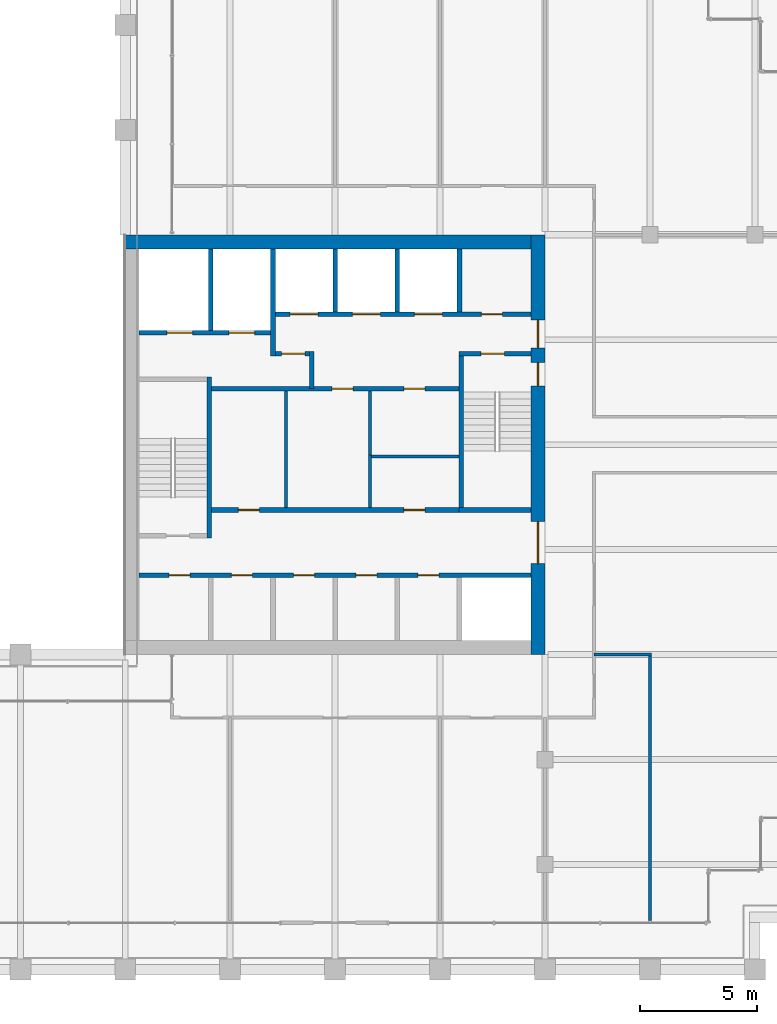
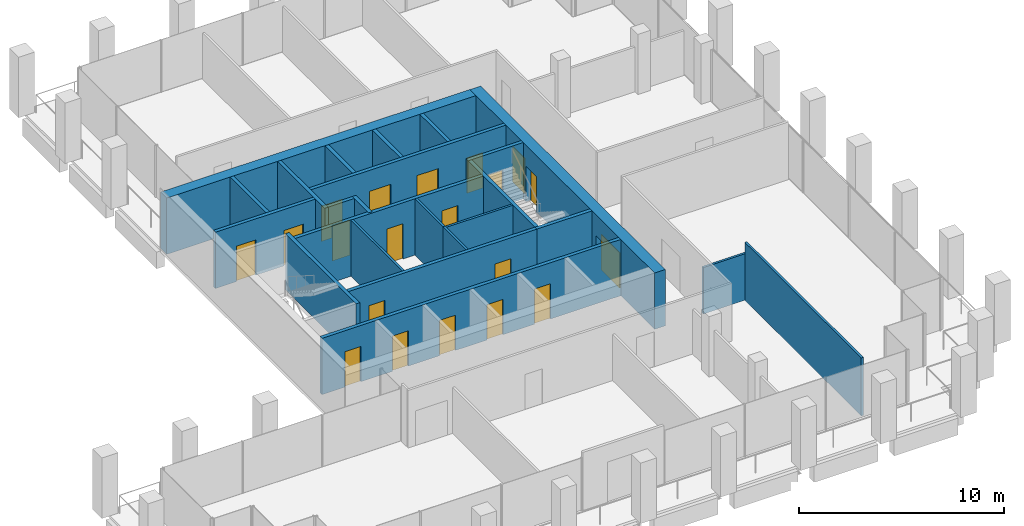
# One storey, part 36 of 40: 24 walls, 20 doors, 20 openings.
"""IFC4 building model written with IfcOpenShell, lengths in metres."""

from ifc_helpers import new_model, si_unit, direction, frame, frame_2d, origin, place, context, subcontext, project, spatial, rectangle, extrude, material, layer, layer_set, type_object, element, fill, save


model = new_model("IFC4")

# Units and contexts
model_context = context("Model", 3, precision=1e-05, world=origin(), true_north=direction((0.0, 1.0)))
body_context = subcontext(model_context, "Body", "Model", "MODEL_VIEW")
ifc_project = project(units=[si_unit("LENGTHUNIT", "METRE"), si_unit("AREAUNIT", "SQUARE_METRE"), si_unit("VOLUMEUNIT", "CUBIC_METRE"), si_unit("PLANEANGLEUNIT", "RADIAN"), si_unit("MASSUNIT", "GRAM", prefix="KILO")], contexts=[model_context])

# Site, building, storey
site_placement = place(None, origin())
site = spatial("IfcSite", under=ifc_project, at=site_placement, CompositionType="ELEMENT")
building_placement = place(site_placement, origin())
building = spatial("IfcBuilding", under=site, at=building_placement, Name="Altepetl Exchange Towers", CompositionType="ELEMENT")
storey_placement = place(building_placement, frame((0.0, 0.0, 165.39990234375)))
storey = spatial("IfcBuildingStorey", under=building, at=storey_placement, Name="L41", CompositionType="ELEMENT", Elevation=165.39990234375)

# Wall, openings, doors
ifc_material_1 = material(Name="Concrete C70/85", Category="concrete")
ifc_layer_1 = layer(ifc_material_1, 0.60009765625)
ifc_layer_set_1 = layer_set([ifc_layer_1], Name="Concrete C70/85")
wall_type_1 = type_object("IfcWallType", Name="Core wall 600 reinforced concrete", PredefinedType="SHEAR", material=ifc_layer_set_1)
wall_1_placement = place(storey_placement, frame((58.199951171875, 40.5, 0.0), z_axis=(0.0, 0.0, 1.0), x_axis=(0.0, 1.0, 0.0)))
wall_1 = element("IfcWall", 1, at=wall_1_placement, inside=storey, type_object=wall_type_1, Name="wall:A:L41:K-coreE", PredefinedType="SHEAR", context=body_context, shape_type="SweptSolid", body=[
    extrude(rectangle(XDim=18.0, YDim=0.60009765625, at=frame_2d((9.0, 0.0))), origin(), (0.0, 0.0, 1.0), 3.35009765625),
])
opening_1_placement = place(wall_1_placement, frame((13.14990234375, 0.0, 0.0)))
opening_1 = element("IfcOpeningElement", 2, at=opening_1_placement, cuts=wall_1, Name="Opening L41.A60", PredefinedType="OPENING", context=body_context, shape_type="SweptSolid", body=[
    extrude(rectangle(XDim=1.199951171875, YDim=2.10009765625, at=frame_2d((0.60009765625, 1.050048828125))), frame((0.0, 0.31005859375, 0.0), z_axis=(0.0, -1.0, 0.0), x_axis=(1.0, 0.0, 0.0)), (0.0, 0.0, 1.0), 0.6201171875),
])
opening_2_placement = place(wall_1_placement, frame((3.89990234375, 0.0, 0.0)))
opening_2 = element("IfcOpeningElement", 3, at=opening_2_placement, cuts=wall_1, Name="Opening L41.A61", PredefinedType="OPENING", context=body_context, shape_type="SweptSolid", body=[
    extrude(rectangle(XDim=1.800048828125, YDim=2.10009765625, at=frame_2d((0.89990234375, 1.050048828125))), frame((0.0, 0.31005859375, 0.0), z_axis=(0.0, -1.0, 0.0), x_axis=(1.0, 0.0, 0.0)), (0.0, 0.0, 1.0), 0.6201171875),
])
opening_3_placement = place(wall_1_placement, frame((11.52490234375, 0.0, 0.0)))
opening_3 = element("IfcOpeningElement", 4, at=opening_3_placement, cuts=wall_1, Name="Opening L41.A64", PredefinedType="OPENING", context=body_context, shape_type="SweptSolid", body=[
    extrude(rectangle(XDim=1.0, YDim=2.10009765625, at=frame_2d((0.5, 1.050048828125))), frame((0.0, 0.31005859375, 0.0), z_axis=(0.0, -1.0, 0.0), x_axis=(1.0, 0.0, 0.0)), (0.0, 0.0, 1.0), 0.6201171875),
])
ifc_material_2 = material(Name="Steel and timber fire door", Category="steel")
door_type_1 = type_object("IfcDoorType", Name="Fire door 1000 x 2100 stair and lobby", OperationType="SINGLE_SWING_LEFT", PredefinedType="DOOR", material=ifc_material_2)
door_1_placement = place(opening_3_placement, origin())
door_1 = element("IfcDoor", 5, at=door_1_placement, inside=storey, type_object=door_type_1, Name="door:A:L41:K-dS2x", OperationType="SINGLE_SWING_RIGHT", OverallHeight=2.10009765625, OverallWidth=1.0, PredefinedType="DOOR", context=body_context, shape_type="SweptSolid", body=[
    extrude(rectangle(XDim=1.0, YDim=2.10009765625, at=frame_2d((0.5, 1.050048828125))), frame((0.0, 0.02490234375, 0.0), z_axis=(0.0, -1.0, 0.0), x_axis=(1.0, 0.0, 0.0)), (0.0, 0.0, 1.0), 0.050048828125),
])
fill(opening_3, door_1)
door_type_2 = type_object("IfcDoorType", Name="Fire door 1200 x 2100 lobby entry", OperationType="SINGLE_SWING_LEFT", PredefinedType="DOOR", material=ifc_material_2)
door_2_placement = place(opening_1_placement, origin())
door_2 = element("IfcDoor", 6, at=door_2_placement, inside=storey, type_object=door_type_2, Name="door:A:L41:K-dLNE", OperationType="SINGLE_SWING_RIGHT", OverallHeight=2.10009765625, OverallWidth=1.199951171875, PredefinedType="DOOR", context=body_context, shape_type="SweptSolid", body=[
    extrude(rectangle(XDim=1.199951171875, YDim=2.10009765625, at=frame_2d((0.60009765625, 1.050048828125))), frame((0.0, 0.02490234375, 0.0), z_axis=(0.0, -1.0, 0.0), x_axis=(1.0, 0.0, 0.0)), (0.0, 0.0, 1.0), 0.050048828125),
])
fill(opening_1, door_2)
door_type_3 = type_object("IfcDoorType", Name="Fire door 1800 x 2100 lobby entry", OperationType="DOUBLE_DOOR_SINGLE_SWING", PredefinedType="DOOR", material=ifc_material_2)
door_3_placement = place(opening_2_placement, origin())
door_3 = element("IfcDoor", 7, at=door_3_placement, inside=storey, type_object=door_type_3, Name="door:A:L41:K-dLSE", OperationType="DOUBLE_DOOR_SINGLE_SWING", OverallHeight=2.10009765625, OverallWidth=1.800048828125, PredefinedType="DOOR", context=body_context, shape_type="SweptSolid", body=[
    extrude(rectangle(XDim=1.800048828125, YDim=2.10009765625, at=frame_2d((0.89990234375, 1.050048828125))), frame((0.0, 0.02490234375, 0.0), z_axis=(0.0, -1.0, 0.0), x_axis=(1.0, 0.0, 0.0)), (0.0, 0.0, 1.0), 0.050048828125),
])
fill(opening_2, door_3)

# Walls
wall_2_placement = place(storey_placement, frame((40.5, 58.199951171875, 0.0)))
element("IfcWall", 8, at=wall_2_placement, inside=storey, type_object=wall_type_1, Name="wall:A:L41:K-coreN", PredefinedType="SHEAR", context=body_context, shape_type="SweptSolid", body=[
    extrude(rectangle(XDim=17.39990234375, YDim=0.60009765625, at=frame_2d((8.699951171875, 0.0))), origin(), (0.0, 0.0, 1.0), 3.35009765625),
])
ifc_material_3 = material(Name="Concrete blockwork", Category="masonry")
ifc_layer_2 = layer(ifc_material_3, 0.199951171875)
ifc_layer_set_2 = layer_set([ifc_layer_2], Name="Concrete blockwork")
wall_type_2 = type_object("IfcWallType", Name="Lobby wall 200 blockwork", PredefinedType="PARTITIONING", material=ifc_layer_set_2)
wall_3_placement = place(storey_placement, frame((48.5, 51.89990234375, 0.0), z_axis=(0.0, 0.0, 1.0), x_axis=(0.0, 1.0, 0.0)))
element("IfcWall", 9, at=wall_3_placement, inside=storey, type_object=wall_type_2, Name="wall:A:L41:K-ffE", PredefinedType="PARTITIONING", context=body_context, shape_type="SweptSolid", body=[
    extrude(rectangle(XDim=1.60009765625, YDim=0.199951171875, at=frame_2d((0.800048828125, 0.0))), origin(), (0.0, 0.0, 1.0), 3.35009765625),
])

# Wall, opening, door
wall_4_placement = place(storey_placement, frame((46.933349609375, 53.39990234375, 0.0)))
wall_4 = element("IfcWall", 10, at=wall_4_placement, inside=storey, type_object=wall_type_2, Name="wall:A:L41:K-ffN", PredefinedType="PARTITIONING", context=body_context, shape_type="SweptSolid", body=[
    extrude(rectangle(XDim=1.466552734375, YDim=0.199951171875, at=frame_2d((0.7333984375, 0.0))), origin(), (0.0, 0.0, 1.0), 3.35009765625),
])
opening_4_placement = place(wall_4_placement, frame((0.2666015625, 0.0, 0.0)))
opening_4 = element("IfcOpeningElement", 11, at=opening_4_placement, cuts=wall_4, Name="Opening L41.A65", PredefinedType="OPENING", context=body_context, shape_type="SweptSolid", body=[
    extrude(rectangle(XDim=1.0, YDim=2.10009765625, at=frame_2d((0.5, 1.050048828125))), frame((0.0, 0.10986328125, 0.0), z_axis=(0.0, -1.0, 0.0), x_axis=(1.0, 0.0, 0.0)), (0.0, 0.0, 1.0), 0.219970703125),
])
door_4_placement = place(opening_4_placement, frame((1.0, 0.0, 0.0), x_axis=(-1.0, 0.0, 0.0)))
door_4 = element("IfcDoor", 12, at=door_4_placement, inside=storey, type_object=door_type_1, Name="door:A:L41:K-dffN", OperationType="SINGLE_SWING_LEFT", OverallHeight=2.10009765625, OverallWidth=1.0, PredefinedType="DOOR", context=body_context, shape_type="SweptSolid", body=[
    extrude(rectangle(XDim=1.0, YDim=2.10009765625, at=frame_2d((0.5, 1.050048828125))), frame((0.0, 0.02490234375, 0.0), z_axis=(0.0, -1.0, 0.0), x_axis=(1.0, 0.0, 0.0)), (0.0, 0.0, 1.0), 0.050048828125),
])
fill(opening_4, door_4)

# Wall, openings, doors
wall_5_placement = place(storey_placement, frame((44.199951171875, 51.89990234375, 0.0)))
wall_5 = element("IfcWall", 13, at=wall_5_placement, inside=storey, type_object=wall_type_2, Name="wall:A:L41:K-zoneN", PredefinedType="PARTITIONING", context=body_context, shape_type="SweptSolid", body=[
    extrude(rectangle(XDim=10.60009765625, YDim=0.199951171875, at=frame_2d((5.300048828125, 0.0))), origin(), (0.0, 0.0, 1.0), 3.35009765625),
])
opening_5_placement = place(wall_5_placement, frame((5.175048828125, 0.0, 0.0)))
opening_5 = element("IfcOpeningElement", 14, at=opening_5_placement, cuts=wall_5, Name="Opening L41.A73", PredefinedType="OPENING", context=body_context, shape_type="SweptSolid", body=[
    extrude(rectangle(XDim=0.89990234375, YDim=2.10009765625, at=frame_2d((0.449951171875, 1.050048828125))), frame((0.0, 0.10986328125, 0.0), z_axis=(0.0, -1.0, 0.0), x_axis=(1.0, 0.0, 0.0)), (0.0, 0.0, 1.0), 0.219970703125),
])
opening_6_placement = place(wall_5_placement, frame((8.25, 0.0, 0.0)))
opening_6 = element("IfcOpeningElement", 15, at=opening_6_placement, cuts=wall_5, Name="Opening L41.A75", PredefinedType="OPENING", context=body_context, shape_type="SweptSolid", body=[
    extrude(rectangle(XDim=0.89990234375, YDim=2.10009765625, at=frame_2d((0.449951171875, 1.050048828125))), frame((0.0, 0.10986328125, 0.0), z_axis=(0.0, -1.0, 0.0), x_axis=(1.0, 0.0, 0.0)), (0.0, 0.0, 1.0), 0.219970703125),
])
door_type_4 = type_object("IfcDoorType", Name="Fire door 900 x 2100 service room", OperationType="SINGLE_SWING_LEFT", PredefinedType="DOOR", material=ifc_material_2)
door_5_placement = place(opening_5_placement, frame((0.89990234375, 0.0, 0.0), x_axis=(-1.0, 0.0, 0.0)))
door_5 = element("IfcDoor", 16, at=door_5_placement, inside=storey, type_object=door_type_4, Name="door:A:L41:K-dz2", OperationType="SINGLE_SWING_LEFT", OverallHeight=2.10009765625, OverallWidth=0.89990234375, PredefinedType="DOOR", context=body_context, shape_type="SweptSolid", body=[
    extrude(rectangle(XDim=0.89990234375, YDim=2.10009765625, at=frame_2d((0.449951171875, 1.050048828125))), frame((0.0, 0.02490234375, 0.0), z_axis=(0.0, -1.0, 0.0), x_axis=(1.0, 0.0, 0.0)), (0.0, 0.0, 1.0), 0.050048828125),
])
fill(opening_5, door_5)
door_6_placement = place(opening_6_placement, frame((0.89990234375, 0.0, 0.0), x_axis=(-1.0, 0.0, 0.0)))
door_6 = element("IfcDoor", 17, at=door_6_placement, inside=storey, type_object=door_type_4, Name="door:A:L41:K-dz4", OperationType="SINGLE_SWING_LEFT", OverallHeight=2.10009765625, OverallWidth=0.89990234375, PredefinedType="DOOR", context=body_context, shape_type="SweptSolid", body=[
    extrude(rectangle(XDim=0.89990234375, YDim=2.10009765625, at=frame_2d((0.449951171875, 1.050048828125))), frame((0.0, 0.02490234375, 0.0), z_axis=(0.0, -1.0, 0.0), x_axis=(1.0, 0.0, 0.0)), (0.0, 0.0, 1.0), 0.050048828125),
])
fill(opening_6, door_6)

wall_6_placement = place(storey_placement, frame((44.199951171875, 46.699951171875, 0.0)))
wall_6 = element("IfcWall", 18, at=wall_6_placement, inside=storey, type_object=wall_type_2, Name="wall:A:L41:K-zoneS", PredefinedType="PARTITIONING", context=body_context, shape_type="SweptSolid", body=[
    extrude(rectangle(XDim=10.60009765625, YDim=0.199951171875, at=frame_2d((5.300048828125, 0.0))), origin(), (0.0, 0.0, 1.0), 3.35009765625),
])
opening_7_placement = place(wall_6_placement, frame((1.14990234375, 0.0, 0.0)))
opening_7 = element("IfcOpeningElement", 19, at=opening_7_placement, cuts=wall_6, Name="Opening L41.A72", PredefinedType="OPENING", context=body_context, shape_type="SweptSolid", body=[
    extrude(rectangle(XDim=0.89990234375, YDim=2.10009765625, at=frame_2d((0.449951171875, 1.050048828125))), frame((0.0, 0.10986328125, 0.0), z_axis=(0.0, -1.0, 0.0), x_axis=(1.0, 0.0, 0.0)), (0.0, 0.0, 1.0), 0.219970703125),
])
opening_8_placement = place(wall_6_placement, frame((8.25, 0.0, 0.0)))
opening_8 = element("IfcOpeningElement", 20, at=opening_8_placement, cuts=wall_6, Name="Opening L41.A74", PredefinedType="OPENING", context=body_context, shape_type="SweptSolid", body=[
    extrude(rectangle(XDim=0.89990234375, YDim=2.10009765625, at=frame_2d((0.449951171875, 1.050048828125))), frame((0.0, 0.10986328125, 0.0), z_axis=(0.0, -1.0, 0.0), x_axis=(1.0, 0.0, 0.0)), (0.0, 0.0, 1.0), 0.219970703125),
])
door_7_placement = place(opening_7_placement, origin())
door_7 = element("IfcDoor", 21, at=door_7_placement, inside=storey, type_object=door_type_4, Name="door:A:L41:K-dz1", OperationType="SINGLE_SWING_RIGHT", OverallHeight=2.10009765625, OverallWidth=0.89990234375, PredefinedType="DOOR", context=body_context, shape_type="SweptSolid", body=[
    extrude(rectangle(XDim=0.89990234375, YDim=2.10009765625, at=frame_2d((0.449951171875, 1.050048828125))), frame((0.0, 0.02490234375, 0.0), z_axis=(0.0, -1.0, 0.0), x_axis=(1.0, 0.0, 0.0)), (0.0, 0.0, 1.0), 0.050048828125),
])
fill(opening_7, door_7)
door_8_placement = place(opening_8_placement, origin())
door_8 = element("IfcDoor", 22, at=door_8_placement, inside=storey, type_object=door_type_4, Name="door:A:L41:K-dz3", OperationType="SINGLE_SWING_RIGHT", OverallHeight=2.10009765625, OverallWidth=0.89990234375, PredefinedType="DOOR", context=body_context, shape_type="SweptSolid", body=[
    extrude(rectangle(XDim=0.89990234375, YDim=2.10009765625, at=frame_2d((0.449951171875, 1.050048828125))), frame((0.0, 0.02490234375, 0.0), z_axis=(0.0, -1.0, 0.0), x_axis=(1.0, 0.0, 0.0)), (0.0, 0.0, 1.0), 0.050048828125),
])
fill(opening_8, door_8)

# Walls
ifc_material_4 = material(Name="Gypsum board on steel studs", Category="steel")
ifc_layer_3 = layer(ifc_material_4, 0.125)
ifc_layer_set_3 = layer_set([ifc_layer_3], Name="Gypsum board on steel studs")
wall_type_3 = type_object("IfcWallType", Name="Partition 125 gypsum board on steel studs", PredefinedType="PARTITIONING", material=ifc_layer_set_3)
wall_7_placement = place(storey_placement, frame((47.39990234375, 46.800048828125, 0.0), z_axis=(0.0, 0.0, 1.0), x_axis=(0.0, 1.0, 0.0)))
element("IfcWall", 23, at=wall_7_placement, inside=storey, type_object=wall_type_3, Name="wall:A:L41:K-zp1", PredefinedType="PARTITIONING", context=body_context, shape_type="SweptSolid", body=[
    extrude(rectangle(XDim=5.0, YDim=0.125, at=frame_2d((2.5, 0.0))), origin(), (0.0, 0.0, 1.0), 3.35009765625),
])
wall_8_placement = place(storey_placement, frame((51.0, 46.800048828125, 0.0), z_axis=(0.0, 0.0, 1.0), x_axis=(0.0, 1.0, 0.0)))
element("IfcWall", 24, at=wall_8_placement, inside=storey, type_object=wall_type_3, Name="wall:A:L41:K-zp2", PredefinedType="PARTITIONING", context=body_context, shape_type="SweptSolid", body=[
    extrude(rectangle(XDim=2.262451171875, YDim=0.125, at=frame_2d((1.13134765625, 0.0))), origin(), (0.0, 0.0, 1.0), 3.35009765625),
])
wall_9_placement = place(storey_placement, frame((54.800048828125, 49.0, 0.0), z_axis=(0.0, 0.0, 1.0), x_axis=(-1.0, 0.0, 0.0)))
element("IfcWall", 25, at=wall_9_placement, inside=storey, type_object=wall_type_3, Name="wall:A:L41:K-zp3", PredefinedType="PARTITIONING", context=body_context, shape_type="SweptSolid", body=[
    extrude(rectangle(XDim=3.737548828125, YDim=0.125, at=frame_2d((1.86865234375, 0.0))), origin(), (0.0, 0.0, 1.0), 3.35009765625),
])
wall_10_placement = place(storey_placement, frame((51.0, 49.0, 0.0), z_axis=(0.0, 0.0, 1.0), x_axis=(0.0, 1.0, 0.0)))
element("IfcWall", 26, at=wall_10_placement, inside=storey, type_object=wall_type_3, Name="wall:A:L41:K-zp4", PredefinedType="PARTITIONING", context=body_context, shape_type="SweptSolid", body=[
    extrude(rectangle(XDim=2.800048828125, YDim=0.125, at=frame_2d((1.39990234375, 0.0))), origin(), (0.0, 0.0, 1.0), 3.35009765625),
])
wall_11_placement = place(storey_placement, frame((60.60009765625, 40.5, 0.0)))
element("IfcWall", 27, at=wall_11_placement, inside=storey, type_object=wall_type_3, Name="wall:A:L41:P02", PredefinedType="PARTITIONING", context=body_context, shape_type="SweptSolid", body=[
    extrude(rectangle(XDim=2.46240234375, YDim=0.125, at=frame_2d((1.231201171875, 0.0))), origin(), (0.0, 0.0, 1.0), 2.76611328125),
])
wall_12_placement = place(storey_placement, frame((63.0, 29.10009765625, 0.0), z_axis=(0.0, 0.0, 1.0), x_axis=(0.0, 1.0, 0.0)))
element("IfcWall", 28, at=wall_12_placement, inside=storey, type_object=wall_type_3, Name="wall:A:L41:P20", PredefinedType="PARTITIONING", context=body_context, shape_type="SweptSolid", body=[
    extrude(rectangle(XDim=11.33740234375, YDim=0.125, at=frame_2d((5.668701171875, 0.0))), origin(), (0.0, 0.0, 1.0), 3.4501953125),
])
ifc_material_5 = material(Name="Concrete C40/50", Category="concrete")
ifc_layer_4 = layer(ifc_material_5, 0.199951171875)
ifc_layer_set_4 = layer_set([ifc_layer_4], Name="Concrete C40/50")
wall_type_4 = type_object("IfcWallType", Name="Shaft wall 200 reinforced concrete", PredefinedType="SHEAR", material=ifc_layer_set_4)
wall_13_placement = place(storey_placement, frame((44.166748046875, 57.89990234375, 0.0), z_axis=(0.0, 0.0, 1.0), x_axis=(0.0, -1.0, 0.0)))
element("IfcWall", 29, at=wall_13_placement, inside=storey, type_object=wall_type_4, Name="wall:A:L41:K-divN1", PredefinedType="SHEAR", context=body_context, shape_type="SweptSolid", body=[
    extrude(rectangle(XDim=3.5, YDim=0.199951171875, at=frame_2d((1.75, 0.0))), origin(), (0.0, 0.0, 1.0), 3.35009765625),
])
wall_14_placement = place(storey_placement, frame((46.833251953125, 57.89990234375, 0.0), z_axis=(0.0, 0.0, 1.0), x_axis=(0.0, -1.0, 0.0)))
element("IfcWall", 30, at=wall_14_placement, inside=storey, type_object=wall_type_4, Name="wall:A:L41:K-divN2", PredefinedType="SHEAR", context=body_context, shape_type="SweptSolid", body=[
    extrude(rectangle(XDim=4.599853515625, YDim=0.199951171875, at=frame_2d((2.2998046875, 0.0))), origin(), (0.0, 0.0, 1.0), 3.35009765625),
])
for number, where, z_axis, x_axis, name in (
    (31, (49.5, 57.89990234375, 0.0), (0.0, 0.0, 1.0), (0.0, -1.0, 0.0), "wall:A:L41:K-divN3"),
    (32, (52.166748046875, 57.89990234375, 0.0), (0.0, 0.0, 1.0), (0.0, -1.0, 0.0), "wall:A:L41:K-divN4"),
    (33, (54.833251953125, 57.89990234375, 0.0), (0.0, 0.0, 1.0), (0.0, -1.0, 0.0), "wall:A:L41:K-divN5"),
):
    element("IfcWall", number, at=place(storey_placement, frame(where, z_axis=z_axis, x_axis=x_axis)), inside=storey, type_object=wall_type_4, Name=name, PredefinedType="SHEAR", context=body_context, shape_type="SweptSolid", body=[
        extrude(rectangle(XDim=2.699951171875, YDim=0.199951171875, at=frame_2d((1.35009765625, 0.0))), origin(), (0.0, 0.0, 1.0), 3.35009765625),
    ])

# Wall, openings, doors
wall_15_placement = place(storey_placement, frame((46.933349609375, 55.10009765625, 0.0)))
wall_15 = element("IfcWall", 34, at=wall_15_placement, inside=storey, type_object=wall_type_4, Name="wall:A:L41:K-frontNb", PredefinedType="SHEAR", context=body_context, shape_type="SweptSolid", body=[
    extrude(rectangle(XDim=10.966552734375, YDim=0.199951171875, at=frame_2d((5.4833984375, 0.0))), origin(), (0.0, 0.0, 1.0), 3.35009765625),
])
opening_9_placement = place(wall_15_placement, frame((8.83349609375, 0.0, 0.0)))
opening_9 = element("IfcOpeningElement", 35, at=opening_9_placement, cuts=wall_15, Name="Opening L41.A66", PredefinedType="OPENING", context=body_context, shape_type="SweptSolid", body=[
    extrude(rectangle(XDim=0.89990234375, YDim=2.10009765625, at=frame_2d((0.449951171875, 1.050048828125))), frame((0.0, 0.10986328125, 0.0), z_axis=(0.0, -1.0, 0.0), x_axis=(1.0, 0.0, 0.0)), (0.0, 0.0, 1.0), 0.219970703125),
])
opening_10_placement = place(wall_15_placement, frame((0.63330078125, 0.0, 0.0)))
opening_10 = element("IfcOpeningElement", 36, at=opening_10_placement, cuts=wall_15, Name="Opening L41.A78", PredefinedType="OPENING", context=body_context, shape_type="SweptSolid", body=[
    extrude(rectangle(XDim=1.199951171875, YDim=2.10009765625, at=frame_2d((0.60009765625, 1.050048828125))), frame((0.0, 0.10986328125, 0.0), z_axis=(0.0, -1.0, 0.0), x_axis=(1.0, 0.0, 0.0)), (0.0, 0.0, 1.0), 0.219970703125),
])
opening_11_placement = place(wall_15_placement, frame((3.300048828125, 0.0, 0.0)))
opening_11 = element("IfcOpeningElement", 37, at=opening_11_placement, cuts=wall_15, Name="Opening L41.A79", PredefinedType="OPENING", context=body_context, shape_type="SweptSolid", body=[
    extrude(rectangle(XDim=1.199951171875, YDim=2.10009765625, at=frame_2d((0.60009765625, 1.050048828125))), frame((0.0, 0.10986328125, 0.0), z_axis=(0.0, -1.0, 0.0), x_axis=(1.0, 0.0, 0.0)), (0.0, 0.0, 1.0), 0.219970703125),
])
opening_12_placement = place(wall_15_placement, frame((5.966796875, 0.0, 0.0)))
opening_12 = element("IfcOpeningElement", 38, at=opening_12_placement, cuts=wall_15, Name="Opening L41.A80", PredefinedType="OPENING", context=body_context, shape_type="SweptSolid", body=[
    extrude(rectangle(XDim=1.199951171875, YDim=2.10009765625, at=frame_2d((0.60009765625, 1.050048828125))), frame((0.0, 0.10986328125, 0.0), z_axis=(0.0, -1.0, 0.0), x_axis=(1.0, 0.0, 0.0)), (0.0, 0.0, 1.0), 0.219970703125),
])
door_9_placement = place(opening_9_placement, origin())
door_9 = element("IfcDoor", 39, at=door_9_placement, inside=storey, type_object=door_type_4, Name="door:A:L41:K-driser", OperationType="SINGLE_SWING_RIGHT", OverallHeight=2.10009765625, OverallWidth=0.89990234375, PredefinedType="DOOR", context=body_context, shape_type="SweptSolid", body=[
    extrude(rectangle(XDim=0.89990234375, YDim=2.10009765625, at=frame_2d((0.449951171875, 1.050048828125))), frame((0.0, 0.02490234375, 0.0), z_axis=(0.0, -1.0, 0.0), x_axis=(1.0, 0.0, 0.0)), (0.0, 0.0, 1.0), 0.050048828125),
])
fill(opening_9, door_9)
ifc_material_6 = material(Name="Stainless steel", Category="steel")
door_type_5 = type_object("IfcDoorType", Name="Lift landing door 1200 x 2100", OperationType="SLIDING_TO_LEFT", PredefinedType="DOOR", material=ifc_material_6)
door_10_placement = place(opening_10_placement, origin())
door_10 = element("IfcDoor", 40, at=door_10_placement, inside=storey, type_object=door_type_5, Name="Landing door P5", OperationType="SLIDING_TO_LEFT", OverallHeight=2.10009765625, OverallWidth=1.199951171875, PredefinedType="DOOR", context=body_context, shape_type="SweptSolid", body=[
    extrude(rectangle(XDim=1.199951171875, YDim=2.10009765625, at=frame_2d((0.60009765625, 1.050048828125))), frame((0.0, 0.02490234375, 0.0), z_axis=(0.0, -1.0, 0.0), x_axis=(1.0, 0.0, 0.0)), (0.0, 0.0, 1.0), 0.050048828125),
])
fill(opening_10, door_10)
door_11_placement = place(opening_11_placement, origin())
door_11 = element("IfcDoor", 41, at=door_11_placement, inside=storey, type_object=door_type_5, Name="Landing door P6", OperationType="SLIDING_TO_LEFT", OverallHeight=2.10009765625, OverallWidth=1.199951171875, PredefinedType="DOOR", context=body_context, shape_type="SweptSolid", body=[
    extrude(rectangle(XDim=1.199951171875, YDim=2.10009765625, at=frame_2d((0.60009765625, 1.050048828125))), frame((0.0, 0.02490234375, 0.0), z_axis=(0.0, -1.0, 0.0), x_axis=(1.0, 0.0, 0.0)), (0.0, 0.0, 1.0), 0.050048828125),
])
fill(opening_11, door_11)
door_12_placement = place(opening_12_placement, origin())
door_12 = element("IfcDoor", 42, at=door_12_placement, inside=storey, type_object=door_type_5, Name="Landing door P7", OperationType="SLIDING_TO_LEFT", OverallHeight=2.10009765625, OverallWidth=1.199951171875, PredefinedType="DOOR", context=body_context, shape_type="SweptSolid", body=[
    extrude(rectangle(XDim=1.199951171875, YDim=2.10009765625, at=frame_2d((0.60009765625, 1.050048828125))), frame((0.0, 0.02490234375, 0.0), z_axis=(0.0, -1.0, 0.0), x_axis=(1.0, 0.0, 0.0)), (0.0, 0.0, 1.0), 0.050048828125),
])
fill(opening_12, door_12)

wall_16_placement = place(storey_placement, frame((41.10009765625, 54.300048828125, 0.0)))
wall_16 = element("IfcWall", 43, at=wall_16_placement, inside=storey, type_object=wall_type_4, Name="wall:A:L41:K-frontNd", PredefinedType="SHEAR", context=body_context, shape_type="SweptSolid", body=[
    extrude(rectangle(XDim=5.63330078125, YDim=0.199951171875, at=frame_2d((2.816650390625, 0.0))), origin(), (0.0, 0.0, 1.0), 3.35009765625),
])
opening_13_placement = place(wall_16_placement, frame((1.183349609375, 0.0, 0.0)))
opening_13 = element("IfcOpeningElement", 44, at=opening_13_placement, cuts=wall_16, Name="Opening L41.A76", PredefinedType="OPENING", context=body_context, shape_type="SweptSolid", body=[
    extrude(rectangle(XDim=1.10009765625, YDim=2.10009765625, at=frame_2d((0.550048828125, 1.050048828125))), frame((0.0, 0.10986328125, 0.0), z_axis=(0.0, -1.0, 0.0), x_axis=(1.0, 0.0, 0.0)), (0.0, 0.0, 1.0), 0.219970703125),
])
opening_14_placement = place(wall_16_placement, frame((3.85009765625, 0.0, 0.0)))
opening_14 = element("IfcOpeningElement", 45, at=opening_14_placement, cuts=wall_16, Name="Opening L41.A77", PredefinedType="OPENING", context=body_context, shape_type="SweptSolid", body=[
    extrude(rectangle(XDim=1.10009765625, YDim=2.10009765625, at=frame_2d((0.550048828125, 1.050048828125))), frame((0.0, 0.10986328125, 0.0), z_axis=(0.0, -1.0, 0.0), x_axis=(1.0, 0.0, 0.0)), (0.0, 0.0, 1.0), 0.219970703125),
])
door_type_6 = type_object("IfcDoorType", Name="Lift landing door 1100 x 2100", OperationType="SLIDING_TO_LEFT", PredefinedType="DOOR", material=ifc_material_6)
door_13_placement = place(opening_13_placement, origin())
door_13 = element("IfcDoor", 46, at=door_13_placement, inside=storey, type_object=door_type_6, Name="Landing door FFL1", OperationType="SLIDING_TO_LEFT", OverallHeight=2.10009765625, OverallWidth=1.10009765625, PredefinedType="DOOR", context=body_context, shape_type="SweptSolid", body=[
    extrude(rectangle(XDim=1.10009765625, YDim=2.10009765625, at=frame_2d((0.550048828125, 1.050048828125))), frame((0.0, 0.02490234375, 0.0), z_axis=(0.0, -1.0, 0.0), x_axis=(1.0, 0.0, 0.0)), (0.0, 0.0, 1.0), 0.050048828125),
])
fill(opening_13, door_13)
door_14_placement = place(opening_14_placement, origin())
door_14 = element("IfcDoor", 47, at=door_14_placement, inside=storey, type_object=door_type_6, Name="Landing door FFL2", OperationType="SLIDING_TO_LEFT", OverallHeight=2.10009765625, OverallWidth=1.10009765625, PredefinedType="DOOR", context=body_context, shape_type="SweptSolid", body=[
    extrude(rectangle(XDim=1.10009765625, YDim=2.10009765625, at=frame_2d((0.550048828125, 1.050048828125))), frame((0.0, 0.02490234375, 0.0), z_axis=(0.0, -1.0, 0.0), x_axis=(1.0, 0.0, 0.0)), (0.0, 0.0, 1.0), 0.050048828125),
])
fill(opening_14, door_14)

wall_17_placement = place(storey_placement, frame((41.10009765625, 43.89990234375, 0.0)))
wall_17 = element("IfcWall", 48, at=wall_17_placement, inside=storey, type_object=wall_type_4, Name="wall:A:L41:K-frontS", PredefinedType="SHEAR", context=body_context, shape_type="SweptSolid", body=[
    extrude(rectangle(XDim=16.7998046875, YDim=0.199951171875, at=frame_2d((8.39990234375, 0.0))), origin(), (0.0, 0.0, 1.0), 3.35009765625),
])
opening_15_placement = place(wall_17_placement, frame((1.283203125, 0.0, 0.0)))
opening_15 = element("IfcOpeningElement", 49, at=opening_15_placement, cuts=wall_17, Name="Opening L41.A67", PredefinedType="OPENING", context=body_context, shape_type="SweptSolid", body=[
    extrude(rectangle(XDim=0.89990234375, YDim=2.10009765625, at=frame_2d((0.449951171875, 1.050048828125))), frame((0.0, 0.10986328125, 0.0), z_axis=(0.0, -1.0, 0.0), x_axis=(1.0, 0.0, 0.0)), (0.0, 0.0, 1.0), 0.219970703125),
])
opening_16_placement = place(wall_17_placement, frame((3.949951171875, 0.0, 0.0)))
opening_16 = element("IfcOpeningElement", 50, at=opening_16_placement, cuts=wall_17, Name="Opening L41.A68", PredefinedType="OPENING", context=body_context, shape_type="SweptSolid", body=[
    extrude(rectangle(XDim=0.89990234375, YDim=2.10009765625, at=frame_2d((0.449951171875, 1.050048828125))), frame((0.0, 0.10986328125, 0.0), z_axis=(0.0, -1.0, 0.0), x_axis=(1.0, 0.0, 0.0)), (0.0, 0.0, 1.0), 0.219970703125),
])
opening_17_placement = place(wall_17_placement, frame((6.61669921875, 0.0, 0.0)))
opening_17 = element("IfcOpeningElement", 51, at=opening_17_placement, cuts=wall_17, Name="Opening L41.A69", PredefinedType="OPENING", context=body_context, shape_type="SweptSolid", body=[
    extrude(rectangle(XDim=0.89990234375, YDim=2.10009765625, at=frame_2d((0.449951171875, 1.050048828125))), frame((0.0, 0.10986328125, 0.0), z_axis=(0.0, -1.0, 0.0), x_axis=(1.0, 0.0, 0.0)), (0.0, 0.0, 1.0), 0.219970703125),
])
opening_18_placement = place(wall_17_placement, frame((9.283203125, 0.0, 0.0)))
opening_18 = element("IfcOpeningElement", 52, at=opening_18_placement, cuts=wall_17, Name="Opening L41.A70", PredefinedType="OPENING", context=body_context, shape_type="SweptSolid", body=[
    extrude(rectangle(XDim=0.89990234375, YDim=2.10009765625, at=frame_2d((0.449951171875, 1.050048828125))), frame((0.0, 0.10986328125, 0.0), z_axis=(0.0, -1.0, 0.0), x_axis=(1.0, 0.0, 0.0)), (0.0, 0.0, 1.0), 0.219970703125),
])
opening_19_placement = place(wall_17_placement, frame((11.949951171875, 0.0, 0.0)))
opening_19 = element("IfcOpeningElement", 53, at=opening_19_placement, cuts=wall_17, Name="Opening L41.A71", PredefinedType="OPENING", context=body_context, shape_type="SweptSolid", body=[
    extrude(rectangle(XDim=0.89990234375, YDim=2.10009765625, at=frame_2d((0.449951171875, 1.050048828125))), frame((0.0, 0.10986328125, 0.0), z_axis=(0.0, -1.0, 0.0), x_axis=(1.0, 0.0, 0.0)), (0.0, 0.0, 1.0), 0.219970703125),
])
door_15_placement = place(opening_15_placement, frame((0.89990234375, 0.0, 0.0), x_axis=(-1.0, 0.0, 0.0)))
door_15 = element("IfcDoor", 54, at=door_15_placement, inside=storey, type_object=door_type_4, Name="door:A:L41:K-dslotS0", OperationType="SINGLE_SWING_LEFT", OverallHeight=2.10009765625, OverallWidth=0.89990234375, PredefinedType="DOOR", context=body_context, shape_type="SweptSolid", body=[
    extrude(rectangle(XDim=0.89990234375, YDim=2.10009765625, at=frame_2d((0.449951171875, 1.050048828125))), frame((0.0, 0.02490234375, 0.0), z_axis=(0.0, -1.0, 0.0), x_axis=(1.0, 0.0, 0.0)), (0.0, 0.0, 1.0), 0.050048828125),
])
fill(opening_15, door_15)
door_16_placement = place(opening_16_placement, frame((0.89990234375, 0.0, 0.0), x_axis=(-1.0, 0.0, 0.0)))
door_16 = element("IfcDoor", 55, at=door_16_placement, inside=storey, type_object=door_type_4, Name="door:A:L41:K-dslotS1", OperationType="SINGLE_SWING_LEFT", OverallHeight=2.10009765625, OverallWidth=0.89990234375, PredefinedType="DOOR", context=body_context, shape_type="SweptSolid", body=[
    extrude(rectangle(XDim=0.89990234375, YDim=2.10009765625, at=frame_2d((0.449951171875, 1.050048828125))), frame((0.0, 0.02490234375, 0.0), z_axis=(0.0, -1.0, 0.0), x_axis=(1.0, 0.0, 0.0)), (0.0, 0.0, 1.0), 0.050048828125),
])
fill(opening_16, door_16)
door_17_placement = place(opening_17_placement, frame((0.89990234375, 0.0, 0.0), x_axis=(-1.0, 0.0, 0.0)))
door_17 = element("IfcDoor", 56, at=door_17_placement, inside=storey, type_object=door_type_4, Name="door:A:L41:K-dslotS2", OperationType="SINGLE_SWING_LEFT", OverallHeight=2.10009765625, OverallWidth=0.89990234375, PredefinedType="DOOR", context=body_context, shape_type="SweptSolid", body=[
    extrude(rectangle(XDim=0.89990234375, YDim=2.10009765625, at=frame_2d((0.449951171875, 1.050048828125))), frame((0.0, 0.02490234375, 0.0), z_axis=(0.0, -1.0, 0.0), x_axis=(1.0, 0.0, 0.0)), (0.0, 0.0, 1.0), 0.050048828125),
])
fill(opening_17, door_17)
door_18_placement = place(opening_18_placement, frame((0.89990234375, 0.0, 0.0), x_axis=(-1.0, 0.0, 0.0)))
door_18 = element("IfcDoor", 57, at=door_18_placement, inside=storey, type_object=door_type_4, Name="door:A:L41:K-dslotS3", OperationType="SINGLE_SWING_LEFT", OverallHeight=2.10009765625, OverallWidth=0.89990234375, PredefinedType="DOOR", context=body_context, shape_type="SweptSolid", body=[
    extrude(rectangle(XDim=0.89990234375, YDim=2.10009765625, at=frame_2d((0.449951171875, 1.050048828125))), frame((0.0, 0.02490234375, 0.0), z_axis=(0.0, -1.0, 0.0), x_axis=(1.0, 0.0, 0.0)), (0.0, 0.0, 1.0), 0.050048828125),
])
fill(opening_18, door_18)
door_19_placement = place(opening_19_placement, frame((0.89990234375, 0.0, 0.0), x_axis=(-1.0, 0.0, 0.0)))
door_19 = element("IfcDoor", 58, at=door_19_placement, inside=storey, type_object=door_type_4, Name="door:A:L41:K-dslotS4", OperationType="SINGLE_SWING_LEFT", OverallHeight=2.10009765625, OverallWidth=0.89990234375, PredefinedType="DOOR", context=body_context, shape_type="SweptSolid", body=[
    extrude(rectangle(XDim=0.89990234375, YDim=2.10009765625, at=frame_2d((0.449951171875, 1.050048828125))), frame((0.0, 0.02490234375, 0.0), z_axis=(0.0, -1.0, 0.0), x_axis=(1.0, 0.0, 0.0)), (0.0, 0.0, 1.0), 0.050048828125),
])
fill(opening_19, door_19)

# Wall
ifc_layer_5 = layer(ifc_material_5, 0.199951171875)
ifc_layer_set_5 = layer_set([ifc_layer_5], Name="Concrete C40/50")
wall_type_5 = type_object("IfcWallType", Name="Stair wall 200 reinforced concrete", PredefinedType="SHEAR", material=ifc_layer_set_5)
wall_18_placement = place(storey_placement, frame((44.10009765625, 45.5, 0.0), z_axis=(0.0, 0.0, 1.0), x_axis=(0.0, 1.0, 0.0)))
element("IfcWall", 59, at=wall_18_placement, inside=storey, type_object=wall_type_5, Name="wall:A:L41:K-stS1E", PredefinedType="SHEAR", context=body_context, shape_type="SweptSolid", body=[
    extrude(rectangle(XDim=6.89990234375, YDim=0.199951171875, at=frame_2d((3.449951171875, 0.0))), origin(), (0.0, 0.0, 1.0), 3.35009765625),
])

# Wall, opening, door
wall_19_placement = place(storey_placement, frame((54.800048828125, 53.39990234375, 0.0)))
wall_19 = element("IfcWall", 60, at=wall_19_placement, inside=storey, type_object=wall_type_5, Name="wall:A:L41:K-stS2N", PredefinedType="SHEAR", context=body_context, shape_type="SweptSolid", body=[
    extrude(rectangle(XDim=3.099853515625, YDim=0.199951171875, at=frame_2d((1.5498046875, 0.0))), origin(), (0.0, 0.0, 1.0), 3.35009765625),
])
opening_20_placement = place(wall_19_placement, frame((0.949951171875, 0.0, 0.0)))
opening_20 = element("IfcOpeningElement", 61, at=opening_20_placement, cuts=wall_19, Name="Opening L41.A63", PredefinedType="OPENING", context=body_context, shape_type="SweptSolid", body=[
    extrude(rectangle(XDim=1.0, YDim=2.10009765625, at=frame_2d((0.5, 1.050048828125))), frame((0.0, 0.10986328125, 0.0), z_axis=(0.0, -1.0, 0.0), x_axis=(1.0, 0.0, 0.0)), (0.0, 0.0, 1.0), 0.219970703125),
])
door_20_placement = place(opening_20_placement, frame((1.0, 0.0, 0.0), x_axis=(-1.0, 0.0, 0.0)))
door_20 = element("IfcDoor", 62, at=door_20_placement, inside=storey, type_object=door_type_1, Name="door:A:L41:K-dS2in", OperationType="SINGLE_SWING_LEFT", OverallHeight=2.10009765625, OverallWidth=1.0, PredefinedType="DOOR", context=body_context, shape_type="SweptSolid", body=[
    extrude(rectangle(XDim=1.0, YDim=2.10009765625, at=frame_2d((0.5, 1.050048828125))), frame((0.0, 0.02490234375, 0.0), z_axis=(0.0, -1.0, 0.0), x_axis=(1.0, 0.0, 0.0)), (0.0, 0.0, 1.0), 0.050048828125),
])
fill(opening_20, door_20)

# Walls
wall_20_placement = place(storey_placement, frame((54.800048828125, 46.699951171875, 0.0)))
element("IfcWall", 63, at=wall_20_placement, inside=storey, type_object=wall_type_5, Name="wall:A:L41:K-stS2S", PredefinedType="SHEAR", context=body_context, shape_type="SweptSolid", body=[
    extrude(rectangle(XDim=3.099853515625, YDim=0.199951171875, at=frame_2d((1.5498046875, 0.0))), origin(), (0.0, 0.0, 1.0), 3.35009765625),
])
wall_21_placement = place(storey_placement, frame((54.89990234375, 46.800048828125, 0.0), z_axis=(0.0, 0.0, 1.0), x_axis=(0.0, 1.0, 0.0)))
element("IfcWall", 64, at=wall_21_placement, inside=storey, type_object=wall_type_5, Name="wall:A:L41:K-stS2W", PredefinedType="SHEAR", context=body_context, shape_type="SweptSolid", body=[
    extrude(rectangle(XDim=6.5, YDim=0.199951171875, at=frame_2d((3.25, 0.0))), origin(), (0.0, 0.0, 1.0), 3.35009765625),
])

save(model, "model.ifc")
